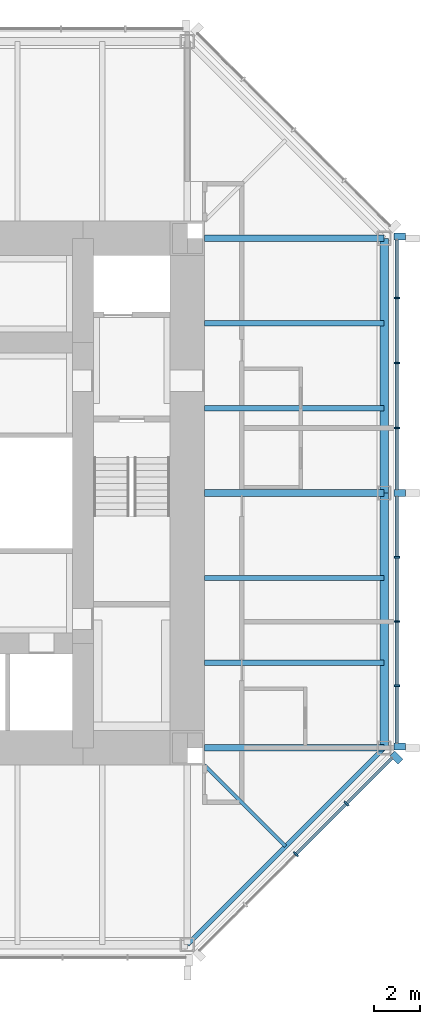
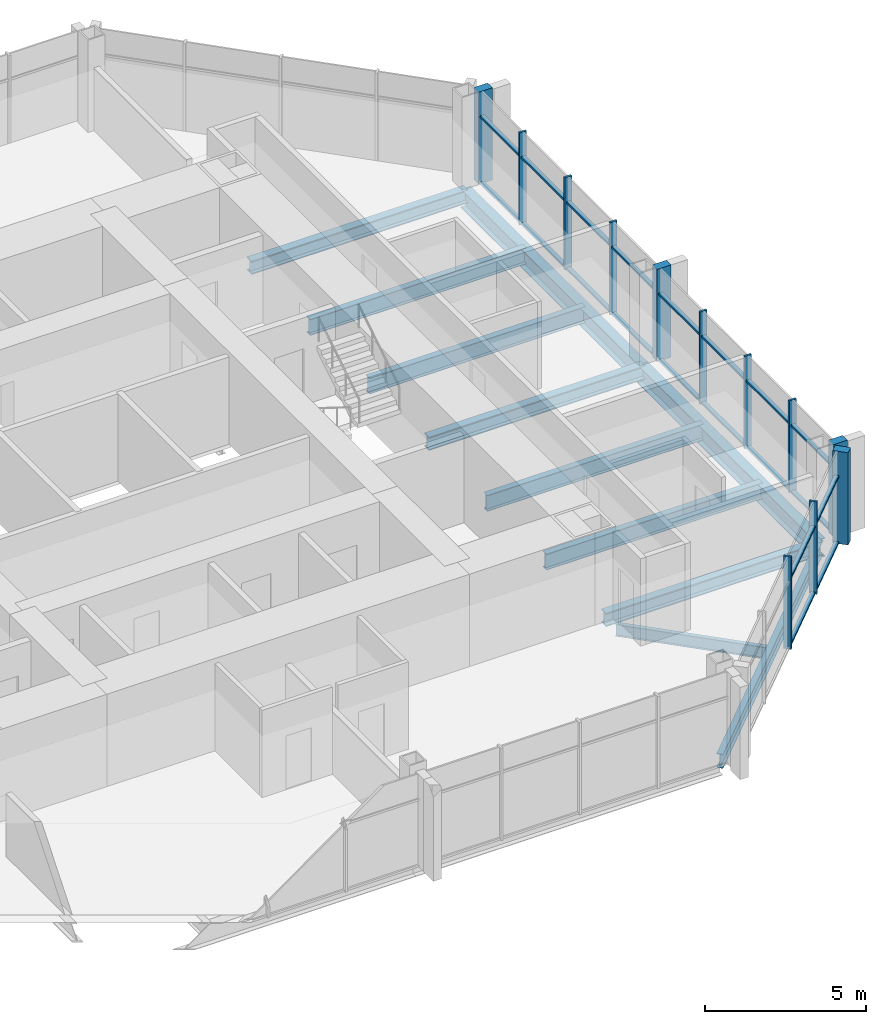
# One storey, part 4 of 11: 32 members, 11 beams, 2 elements without a shape of their own.
"""IFC4 building model written with IfcOpenShell, lengths in metres."""

from ifc_helpers import new_model, si_unit, direction, frame, origin, origin_2d, place, context, subcontext, project, spatial, rectangle, i_section, extrude, material, material_profile, profile_set, type_object, element, aggregate, save


model = new_model("IFC4")

# Units and contexts
model_context = context("Model", 3, precision=1e-05, world=origin(), true_north=direction((0.0, 1.0)))
body_context = subcontext(model_context, "Body", "Model", "MODEL_VIEW")
ifc_project = project(units=[si_unit("LENGTHUNIT", "METRE"), si_unit("AREAUNIT", "SQUARE_METRE"), si_unit("VOLUMEUNIT", "CUBIC_METRE"), si_unit("PLANEANGLEUNIT", "RADIAN"), si_unit("MASSUNIT", "GRAM", prefix="KILO")], contexts=[model_context])

# Site, building, storey
site_placement = place(None, origin())
site = spatial("IfcSite", under=ifc_project, at=site_placement, CompositionType="ELEMENT")
building_placement = place(site_placement, origin())
building = spatial("IfcBuilding", under=site, at=building_placement, Name="Trevanion Tower", CompositionType="ELEMENT")
storey_placement = place(building_placement, frame((0.0, 0.0, 253.699951171875)))
storey = spatial("IfcBuildingStorey", under=building, at=storey_placement, Name="L62", CompositionType="ELEMENT", Elevation=253.699951171875)

# Beams
ifc_material_1 = material(Name="Steel ASTM A992 Grade 50", Category="steel")
ifc_material_profile_1 = material_profile(ifc_material_1, i_section(OverallWidth=0.228271484375, OverallDepth=0.607177734375, WebThickness=0.01123046875, FlangeThickness=0.017333984375, at=origin_2d()), Name="W24X76")
ifc_profile_set_1 = profile_set([ifc_material_profile_1], Name="Steel ASTM A992 Grade 50")
beam_type_1 = type_object("IfcBeamType", Name="B11 W24X76", PredefinedType="BEAM", material=ifc_profile_set_1)
for number, where, z_axis, x_axis, name in (
    (1, (11.75, -7.333251953125, -0.493408203125), (1.0, 0.0, 0.0), (0.0, 1.0, 0.0), "B11 L62"),
    (2, (11.75, -3.666748046875, -0.493408203125), (1.0, 0.0, 0.0), (0.0, 1.0, 0.0), "B11 L62"),
    (3, (11.75, 3.666748046875, -0.493408203125), (1.0, 0.0, 0.0), (0.0, 1.0, 0.0), "B11 L62"),
    (4, (11.75, 7.333251953125, -0.493408203125), (1.0, 0.0, 0.0), (0.0, 1.0, 0.0), "B11 L62"),
):
    element("IfcBeam", number, at=place(storey_placement, frame(where, z_axis=z_axis, x_axis=x_axis)), inside=storey, type_object=beam_type_1, Name=name, PredefinedType="BEAM", context=body_context, shape_type="SweptSolid", body=[
        extrude(i_section(OverallWidth=0.228271484375, OverallDepth=0.607177734375, WebThickness=0.01123046875, FlangeThickness=0.017333984375, at=origin_2d()), origin(), (0.0, 0.0, 1.0), 7.75),
    ])
ifc_material_2 = material(Name="Steel ASTM A992 Grade 50", Category="steel")
ifc_material_profile_2 = material_profile(ifc_material_2, i_section(OverallWidth=0.15234375, OverallDepth=0.449462890625, WebThickness=0.007568359375, FlangeThickness=0.0107421875, at=origin_2d()), Name="W18X35")
ifc_profile_set_2 = profile_set([ifc_material_profile_2], Name="Steel ASTM A992 Grade 50")
beam_type_2 = type_object("IfcBeamType", Name="B12 W18X35", PredefinedType="BEAM", material=ifc_profile_set_2)
beam_1_placement = place(storey_placement, frame((11.75, -11.75, -0.414794921875), z_axis=(0.707106781187, -0.707106781187, 0.0), x_axis=(0.707106781187, 0.707106781187, 0.0)))
element("IfcBeam", 5, at=beam_1_placement, inside=storey, type_object=beam_type_2, Name="B12 L62", PredefinedType="BEAM", context=body_context, shape_type="SweptSolid", body=[
    extrude(i_section(OverallWidth=0.15234375, OverallDepth=0.449462890625, WebThickness=0.007568359375, FlangeThickness=0.0107421875, at=origin_2d()), origin(), (0.0, 0.0, 1.0), 4.94970703125),
])

# Curtain wall, members
ifc_material_3 = material(Name="Aluminium and glass", Category="aluminium")
curtain_wall_type = type_object("IfcCurtainWallType", Name="CW3 curtain wall", PredefinedType="USERDEFINED", material=ifc_material_3)
curtain_wall_1_placement = place(storey_placement, origin())
curtain_wall_1 = element("IfcCurtainWall", 6, at=curtain_wall_1_placement, inside=storey, type_object=curtain_wall_type, Name="CW3 L62 0", ObjectType="UNITISED CURTAIN WALL", PredefinedType="USERDEFINED")
ifc_material_4 = material(Name="Aluminium extrusion, anodised bronze", Category="aluminium")
ifc_material_profile_3 = material_profile(ifc_material_4, rectangle(XDim=0.074951171875, YDim=0.25, at=origin_2d()), Name="CW3 mullion")
ifc_profile_set_3 = profile_set([ifc_material_profile_3], Name="Aluminium extrusion, anodised bronze")
member_type_1 = type_object("IfcMemberType", Name="CW3 mullion", PredefinedType="MULLION", material=ifc_profile_set_3)
member_1_placement = place(storey_placement, frame((20.050048828125, -8.323486328125, -0.18994140625), z_axis=(0.0, 0.0, 1.0), x_axis=(0.0, 1.0, 0.0)))
member_1 = element("IfcMember", 7, at=member_1_placement, type_object=member_type_1, Name="CW3 mullion 2", PredefinedType="MULLION", context=body_context, shape_type="SweptSolid", body=[
    extrude(rectangle(XDim=0.074951171875, YDim=0.25, at=origin_2d()), origin(), (0.0, 0.0, 1.0), 3.5),
])
member_2_placement = place(storey_placement, frame((20.050048828125, -5.548828125, -0.18994140625), z_axis=(0.0, 0.0, 1.0), x_axis=(0.0, 1.0, 0.0)))
member_2 = element("IfcMember", 8, at=member_2_placement, type_object=member_type_1, Name="CW3 mullion 3", PredefinedType="MULLION", context=body_context, shape_type="SweptSolid", body=[
    extrude(rectangle(XDim=0.074951171875, YDim=0.25, at=origin_2d()), origin(), (0.0, 0.0, 1.0), 3.5),
])
member_3_placement = place(storey_placement, frame((20.050048828125, -2.7744140625, -0.18994140625), z_axis=(0.0, 0.0, 1.0), x_axis=(0.0, 1.0, 0.0)))
member_3 = element("IfcMember", 9, at=member_3_placement, type_object=member_type_1, Name="CW3 mullion 4", PredefinedType="MULLION", context=body_context, shape_type="SweptSolid", body=[
    extrude(rectangle(XDim=0.074951171875, YDim=0.25, at=origin_2d()), origin(), (0.0, 0.0, 1.0), 3.5),
])
member_4_placement = place(storey_placement, frame((20.050048828125, 2.806884765625, -0.18994140625), z_axis=(0.0, 0.0, 1.0), x_axis=(0.0, 1.0, 0.0)))
member_4 = element("IfcMember", 10, at=member_4_placement, type_object=member_type_1, Name="CW3 mullion 6", PredefinedType="MULLION", context=body_context, shape_type="SweptSolid", body=[
    extrude(rectangle(XDim=0.074951171875, YDim=0.25, at=origin_2d()), origin(), (0.0, 0.0, 1.0), 3.5),
])
member_5_placement = place(storey_placement, frame((20.050048828125, 5.614013671875, -0.18994140625), z_axis=(0.0, 0.0, 1.0), x_axis=(0.0, 1.0, 0.0)))
member_5 = element("IfcMember", 11, at=member_5_placement, type_object=member_type_1, Name="CW3 mullion 7", PredefinedType="MULLION", context=body_context, shape_type="SweptSolid", body=[
    extrude(rectangle(XDim=0.074951171875, YDim=0.25, at=origin_2d()), origin(), (0.0, 0.0, 1.0), 3.5),
])
member_6_placement = place(storey_placement, frame((20.050048828125, 8.4208984375, -0.18994140625), z_axis=(0.0, 0.0, 1.0), x_axis=(0.0, 1.0, 0.0)))
member_6 = element("IfcMember", 12, at=member_6_placement, type_object=member_type_1, Name="CW3 mullion 8", PredefinedType="MULLION", context=body_context, shape_type="SweptSolid", body=[
    extrude(rectangle(XDim=0.074951171875, YDim=0.25, at=origin_2d()), origin(), (0.0, 0.0, 1.0), 3.5),
])

curtain_wall_2_placement = place(storey_placement, origin())
curtain_wall_2 = element("IfcCurtainWall", 13, at=curtain_wall_2_placement, inside=storey, type_object=curtain_wall_type, Name="CW3 L62 7", ObjectType="UNITISED CURTAIN WALL", PredefinedType="USERDEFINED")
member_7_placement = place(storey_placement, frame((15.684814453125, -15.593017578125, -0.18994140625), z_axis=(0.0, 0.0, 1.0), x_axis=(0.707106781187, 0.707106781187, 0.0)))
member_7 = element("IfcMember", 14, at=member_7_placement, type_object=member_type_1, Name="CW3 mullion 3", PredefinedType="MULLION", context=body_context, shape_type="SweptSolid", body=[
    extrude(rectangle(XDim=0.074951171875, YDim=0.25, at=origin_2d()), origin(), (0.0, 0.0, 1.0), 3.5),
])
member_8_placement = place(storey_placement, frame((17.867431640625, -13.410400390625, -0.18994140625), z_axis=(0.0, 0.0, 1.0), x_axis=(0.707106781187, 0.707106781187, 0.0)))
member_8 = element("IfcMember", 15, at=member_8_placement, type_object=member_type_1, Name="CW3 mullion 4", PredefinedType="MULLION", context=body_context, shape_type="SweptSolid", body=[
    extrude(rectangle(XDim=0.074951171875, YDim=0.25, at=origin_2d()), origin(), (0.0, 0.0, 1.0), 3.5),
])

# Member
ifc_material_5 = material(Name="Aluminium extrusion, anodised bronze", Category="aluminium")
ifc_material_profile_4 = material_profile(ifc_material_5, rectangle(XDim=0.300048828125, YDim=0.5, at=origin_2d()), Name="CW3 pier mullion")
ifc_profile_set_4 = profile_set([ifc_material_profile_4], Name="Aluminium extrusion, anodised bronze")
member_type_2 = type_object("IfcMemberType", Name="CW3 pier mullion", PredefinedType="MULLION", material=ifc_profile_set_4)
member_9_placement = place(storey_placement, frame((20.175048828125, -10.94775390625, -0.18994140625), z_axis=(0.0, 0.0, 1.0), x_axis=(0.0, 1.0, 0.0)))
member_9 = element("IfcMember", 16, at=member_9_placement, type_object=member_type_2, Name="CW3 pier mullion 1", PredefinedType="MULLION", context=body_context, shape_type="SweptSolid", body=[
    extrude(rectangle(XDim=0.300048828125, YDim=0.5, at=origin_2d()), origin(), (0.0, 0.0, 1.0), 3.5),
])

member_10_placement = place(storey_placement, frame((20.175048828125, 0.0, -0.18994140625), z_axis=(0.0, 0.0, 1.0), x_axis=(0.0, 1.0, 0.0)))
member_10 = element("IfcMember", 17, at=member_10_placement, type_object=member_type_2, Name="CW3 pier mullion 5", PredefinedType="MULLION", context=body_context, shape_type="SweptSolid", body=[
    extrude(rectangle(XDim=0.300048828125, YDim=0.5, at=origin_2d()), origin(), (0.0, 0.0, 1.0), 3.5),
])

member_11_placement = place(storey_placement, frame((20.175048828125, 11.077880859375, -0.18994140625), z_axis=(0.0, 0.0, 1.0), x_axis=(0.0, 1.0, 0.0)))
member_11 = element("IfcMember", 18, at=member_11_placement, type_object=member_type_2, Name="CW3 pier mullion 9", PredefinedType="MULLION", context=body_context, shape_type="SweptSolid", body=[
    extrude(rectangle(XDim=0.300048828125, YDim=0.5, at=origin_2d()), origin(), (0.0, 0.0, 1.0), 3.5),
])

member_12_placement = place(storey_placement, frame((20.0322265625, -11.42236328125, -0.18994140625), z_axis=(0.0, 0.0, 1.0), x_axis=(0.707106781187, 0.707106781187, 0.0)))
member_12 = element("IfcMember", 19, at=member_12_placement, type_object=member_type_2, Name="CW3 pier mullion 5", PredefinedType="MULLION", context=body_context, shape_type="SweptSolid", body=[
    extrude(rectangle(XDim=0.300048828125, YDim=0.5, at=origin_2d()), origin(), (0.0, 0.0, 1.0), 3.5),
])

ifc_material_6 = material(Name="Aluminium extrusion, anodised bronze", Category="aluminium")
ifc_material_profile_5 = material_profile(ifc_material_6, rectangle(XDim=0.14990234375, YDim=0.074951171875, at=origin_2d()), Name="CW3 transom")
ifc_profile_set_5 = profile_set([ifc_material_profile_5], Name="Aluminium extrusion, anodised bronze")
member_type_3 = type_object("IfcMemberType", Name="CW3 transom", PredefinedType="USERDEFINED", material=ifc_profile_set_5)
member_13_placement = place(storey_placement, frame((20.050048828125, -10.7978515625, -0.15234375), z_axis=(0.0, 1.0, 0.0), x_axis=(-1.0, 0.0, 0.0)))
member_13 = element("IfcMember", 20, at=member_13_placement, type_object=member_type_3, Name="CW3 transom 1.1", ObjectType="TRANSOM", PredefinedType="USERDEFINED", context=body_context, shape_type="SweptSolid", body=[
    extrude(rectangle(XDim=0.14990234375, YDim=0.074951171875, at=origin_2d()), origin(), (0.0, 0.0, 1.0), 2.43701171875),
])

member_14_placement = place(storey_placement, frame((20.050048828125, -10.7978515625, 2.360107421875), z_axis=(0.0, 1.0, 0.0), x_axis=(-1.0, 0.0, 0.0)))
member_14 = element("IfcMember", 21, at=member_14_placement, type_object=member_type_3, Name="CW3 transom 1.2", ObjectType="TRANSOM", PredefinedType="USERDEFINED", context=body_context, shape_type="SweptSolid", body=[
    extrude(rectangle(XDim=0.14990234375, YDim=0.074951171875, at=origin_2d()), origin(), (0.0, 0.0, 1.0), 2.43701171875),
])

member_15_placement = place(storey_placement, frame((20.050048828125, -8.285888671875, -0.15234375), z_axis=(0.0, 1.0, 0.0), x_axis=(-1.0, 0.0, 0.0)))
member_15 = element("IfcMember", 22, at=member_15_placement, type_object=member_type_3, Name="CW3 transom 2.1", ObjectType="TRANSOM", PredefinedType="USERDEFINED", context=body_context, shape_type="SweptSolid", body=[
    extrude(rectangle(XDim=0.14990234375, YDim=0.074951171875, at=origin_2d()), origin(), (0.0, 0.0, 1.0), 2.699462890625),
])

member_16_placement = place(storey_placement, frame((20.050048828125, -8.285888671875, 2.360107421875), z_axis=(0.0, 1.0, 0.0), x_axis=(-1.0, 0.0, 0.0)))
member_16 = element("IfcMember", 23, at=member_16_placement, type_object=member_type_3, Name="CW3 transom 2.2", ObjectType="TRANSOM", PredefinedType="USERDEFINED", context=body_context, shape_type="SweptSolid", body=[
    extrude(rectangle(XDim=0.14990234375, YDim=0.074951171875, at=origin_2d()), origin(), (0.0, 0.0, 1.0), 2.699462890625),
])

member_17_placement = place(storey_placement, frame((20.050048828125, -5.511474609375, -0.15234375), z_axis=(0.0, 1.0, 0.0), x_axis=(-1.0, 0.0, 0.0)))
member_17 = element("IfcMember", 24, at=member_17_placement, type_object=member_type_3, Name="CW3 transom 3.1", ObjectType="TRANSOM", PredefinedType="USERDEFINED", context=body_context, shape_type="SweptSolid", body=[
    extrude(rectangle(XDim=0.14990234375, YDim=0.074951171875, at=origin_2d()), origin(), (0.0, 0.0, 1.0), 2.699462890625),
])

member_18_placement = place(storey_placement, frame((20.050048828125, -5.511474609375, 2.360107421875), z_axis=(0.0, 1.0, 0.0), x_axis=(-1.0, 0.0, 0.0)))
member_18 = element("IfcMember", 25, at=member_18_placement, type_object=member_type_3, Name="CW3 transom 3.2", ObjectType="TRANSOM", PredefinedType="USERDEFINED", context=body_context, shape_type="SweptSolid", body=[
    extrude(rectangle(XDim=0.14990234375, YDim=0.074951171875, at=origin_2d()), origin(), (0.0, 0.0, 1.0), 2.699462890625),
])

member_19_placement = place(storey_placement, frame((20.050048828125, -2.737060546875, -0.15234375), z_axis=(0.0, 1.0, 0.0), x_axis=(-1.0, 0.0, 0.0)))
member_19 = element("IfcMember", 26, at=member_19_placement, type_object=member_type_3, Name="CW3 transom 4.1", ObjectType="TRANSOM", PredefinedType="USERDEFINED", context=body_context, shape_type="SweptSolid", body=[
    extrude(rectangle(XDim=0.14990234375, YDim=0.074951171875, at=origin_2d()), origin(), (0.0, 0.0, 1.0), 2.587158203125),
])

member_20_placement = place(storey_placement, frame((20.050048828125, -2.737060546875, 2.360107421875), z_axis=(0.0, 1.0, 0.0), x_axis=(-1.0, 0.0, 0.0)))
member_20 = element("IfcMember", 27, at=member_20_placement, type_object=member_type_3, Name="CW3 transom 4.2", ObjectType="TRANSOM", PredefinedType="USERDEFINED", context=body_context, shape_type="SweptSolid", body=[
    extrude(rectangle(XDim=0.14990234375, YDim=0.074951171875, at=origin_2d()), origin(), (0.0, 0.0, 1.0), 2.587158203125),
])

member_21_placement = place(storey_placement, frame((20.050048828125, 0.14990234375, -0.15234375), z_axis=(0.0, 1.0, 0.0), x_axis=(-1.0, 0.0, 0.0)))
member_21 = element("IfcMember", 28, at=member_21_placement, type_object=member_type_3, Name="CW3 transom 5.1", ObjectType="TRANSOM", PredefinedType="USERDEFINED", context=body_context, shape_type="SweptSolid", body=[
    extrude(rectangle(XDim=0.14990234375, YDim=0.074951171875, at=origin_2d()), origin(), (0.0, 0.0, 1.0), 2.619384765625),
])

member_22_placement = place(storey_placement, frame((20.050048828125, 0.14990234375, 2.360107421875), z_axis=(0.0, 1.0, 0.0), x_axis=(-1.0, 0.0, 0.0)))
member_22 = element("IfcMember", 29, at=member_22_placement, type_object=member_type_3, Name="CW3 transom 5.2", ObjectType="TRANSOM", PredefinedType="USERDEFINED", context=body_context, shape_type="SweptSolid", body=[
    extrude(rectangle(XDim=0.14990234375, YDim=0.074951171875, at=origin_2d()), origin(), (0.0, 0.0, 1.0), 2.619384765625),
])

member_23_placement = place(storey_placement, frame((20.050048828125, 2.844482421875, -0.15234375), z_axis=(0.0, 1.0, 0.0), x_axis=(-1.0, 0.0, 0.0)))
member_23 = element("IfcMember", 30, at=member_23_placement, type_object=member_type_3, Name="CW3 transom 6.1", ObjectType="TRANSOM", PredefinedType="USERDEFINED", context=body_context, shape_type="SweptSolid", body=[
    extrude(rectangle(XDim=0.14990234375, YDim=0.074951171875, at=origin_2d()), origin(), (0.0, 0.0, 1.0), 2.73193359375),
])

member_24_placement = place(storey_placement, frame((20.050048828125, 2.844482421875, 2.360107421875), z_axis=(0.0, 1.0, 0.0), x_axis=(-1.0, 0.0, 0.0)))
member_24 = element("IfcMember", 31, at=member_24_placement, type_object=member_type_3, Name="CW3 transom 6.2", ObjectType="TRANSOM", PredefinedType="USERDEFINED", context=body_context, shape_type="SweptSolid", body=[
    extrude(rectangle(XDim=0.14990234375, YDim=0.074951171875, at=origin_2d()), origin(), (0.0, 0.0, 1.0), 2.73193359375),
])

member_25_placement = place(storey_placement, frame((20.050048828125, 5.6513671875, -0.15234375), z_axis=(0.0, 1.0, 0.0), x_axis=(-1.0, 0.0, 0.0)))
member_25 = element("IfcMember", 32, at=member_25_placement, type_object=member_type_3, Name="CW3 transom 7.1", ObjectType="TRANSOM", PredefinedType="USERDEFINED", context=body_context, shape_type="SweptSolid", body=[
    extrude(rectangle(XDim=0.14990234375, YDim=0.074951171875, at=origin_2d()), origin(), (0.0, 0.0, 1.0), 2.73193359375),
])

member_26_placement = place(storey_placement, frame((20.050048828125, 5.6513671875, 2.360107421875), z_axis=(0.0, 1.0, 0.0), x_axis=(-1.0, 0.0, 0.0)))
member_26 = element("IfcMember", 33, at=member_26_placement, type_object=member_type_3, Name="CW3 transom 7.2", ObjectType="TRANSOM", PredefinedType="USERDEFINED", context=body_context, shape_type="SweptSolid", body=[
    extrude(rectangle(XDim=0.14990234375, YDim=0.074951171875, at=origin_2d()), origin(), (0.0, 0.0, 1.0), 2.73193359375),
])

member_27_placement = place(storey_placement, frame((20.050048828125, 8.45849609375, -0.15234375), z_axis=(0.0, 1.0, 0.0), x_axis=(-1.0, 0.0, 0.0)))
member_27 = element("IfcMember", 34, at=member_27_placement, type_object=member_type_3, Name="CW3 transom 8.1", ObjectType="TRANSOM", PredefinedType="USERDEFINED", context=body_context, shape_type="SweptSolid", body=[
    extrude(rectangle(XDim=0.14990234375, YDim=0.074951171875, at=origin_2d()), origin(), (0.0, 0.0, 1.0), 2.46923828125),
])

member_28_placement = place(storey_placement, frame((20.050048828125, 8.45849609375, 2.360107421875), z_axis=(0.0, 1.0, 0.0), x_axis=(-1.0, 0.0, 0.0)))
member_28 = element("IfcMember", 35, at=member_28_placement, type_object=member_type_3, Name="CW3 transom 8.2", ObjectType="TRANSOM", PredefinedType="USERDEFINED", context=body_context, shape_type="SweptSolid", body=[
    extrude(rectangle(XDim=0.14990234375, YDim=0.074951171875, at=origin_2d()), origin(), (0.0, 0.0, 1.0), 2.46923828125),
])

aggregate(curtain_wall_1, [member_9, member_1, member_2, member_3, member_10, member_4, member_5, member_6, member_11, member_13, member_14, member_15, member_16, member_17, member_18, member_19, member_20, member_21, member_22, member_23, member_24, member_25, member_26, member_27, member_28])

member_29_placement = place(storey_placement, frame((15.71142578125, -15.56640625, -0.15234375), z_axis=(0.707106781187, 0.707106781187, 0.0), x_axis=(-0.707106781187, 0.707106781187, 0.0)))
member_29 = element("IfcMember", 36, at=member_29_placement, type_object=member_type_3, Name="CW3 transom 3.1", ObjectType="TRANSOM", PredefinedType="USERDEFINED", context=body_context, shape_type="SweptSolid", body=[
    extrude(rectangle(XDim=0.14990234375, YDim=0.074951171875, at=origin_2d()), origin(), (0.0, 0.0, 1.0), 3.011474609375),
])

member_30_placement = place(storey_placement, frame((15.71142578125, -15.56640625, 2.360107421875), z_axis=(0.707106781187, 0.707106781187, 0.0), x_axis=(-0.707106781187, 0.707106781187, 0.0)))
member_30 = element("IfcMember", 37, at=member_30_placement, type_object=member_type_3, Name="CW3 transom 3.2", ObjectType="TRANSOM", PredefinedType="USERDEFINED", context=body_context, shape_type="SweptSolid", body=[
    extrude(rectangle(XDim=0.14990234375, YDim=0.074951171875, at=origin_2d()), origin(), (0.0, 0.0, 1.0), 3.011474609375),
])

member_31_placement = place(storey_placement, frame((17.89404296875, -13.3837890625, -0.15234375), z_axis=(0.707106781187, 0.707106781187, 0.0), x_axis=(-0.707106781187, 0.707106781187, 0.0)))
member_31 = element("IfcMember", 38, at=member_31_placement, type_object=member_type_3, Name="CW3 transom 4.1", ObjectType="TRANSOM", PredefinedType="USERDEFINED", context=body_context, shape_type="SweptSolid", body=[
    extrude(rectangle(XDim=0.14990234375, YDim=0.074951171875, at=origin_2d()), origin(), (0.0, 0.0, 1.0), 2.7490234375),
])

member_32_placement = place(storey_placement, frame((17.89404296875, -13.3837890625, 2.360107421875), z_axis=(0.707106781187, 0.707106781187, 0.0), x_axis=(-0.707106781187, 0.707106781187, 0.0)))
member_32 = element("IfcMember", 39, at=member_32_placement, type_object=member_type_3, Name="CW3 transom 4.2", ObjectType="TRANSOM", PredefinedType="USERDEFINED", context=body_context, shape_type="SweptSolid", body=[
    extrude(rectangle(XDim=0.14990234375, YDim=0.074951171875, at=origin_2d()), origin(), (0.0, 0.0, 1.0), 2.7490234375),
])

aggregate(curtain_wall_2, [member_7, member_8, member_12, member_29, member_30, member_31, member_32])

# Beams
ifc_material_7 = material(Name="Steel ASTM A992 Grade 50", Category="steel")
ifc_material_profile_6 = material_profile(ifc_material_7, i_section(OverallWidth=0.28955078125, OverallDepth=0.508056640625, WebThickness=0.022705078125, FlangeThickness=0.040283203125, at=origin_2d()), Name="W18X175")
ifc_profile_set_6 = profile_set([ifc_material_profile_6], Name="Steel ASTM A992 Grade 50")
beam_type_3 = type_object("IfcBeamType", Name="G6 W18X175", PredefinedType="BEAM", material=ifc_profile_set_6)
for number, where, z_axis, x_axis, name in (
    (40, (11.75, -11.0, -0.44384765625), (1.0, 0.0, 0.0), (0.0, 1.0, 0.0), "G6 L62"),
    (41, (11.75, 0.0, -0.44384765625), (1.0, 0.0, 0.0), (0.0, 1.0, 0.0), "G6 L62"),
    (42, (11.75, 11.0, -0.44384765625), (1.0, 0.0, 0.0), (0.0, 1.0, 0.0), "G6 L62"),
):
    element("IfcBeam", number, at=place(storey_placement, frame(where, z_axis=z_axis, x_axis=x_axis)), inside=storey, type_object=beam_type_3, Name=name, PredefinedType="BEAM", context=body_context, shape_type="SweptSolid", body=[
        extrude(i_section(OverallWidth=0.28955078125, OverallDepth=0.508056640625, WebThickness=0.022705078125, FlangeThickness=0.040283203125, at=origin_2d()), origin(), (0.0, 0.0, 1.0), 7.75),
    ])
ifc_material_8 = material(Name="Steel ASTM A992 Grade 50", Category="steel")
ifc_material_profile_7 = material_profile(ifc_material_8, i_section(OverallWidth=0.355712890625, OverallDepth=0.696044921875, WebThickness=0.015380859375, FlangeThickness=0.024658203125, at=origin_2d()), Name="W27X146")
ifc_profile_set_7 = profile_set([ifc_material_profile_7], Name="Steel ASTM A992 Grade 50")
beam_type_4 = type_object("IfcBeamType", Name="SB8 W27X146", PredefinedType="SPANDREL", material=ifc_profile_set_7)
for number, where, z_axis, x_axis, name in (
    (43, (19.5, -11.0, -0.537841796875), (0.0, 1.0, 0.0), (-1.0, 0.0, 0.0), "SB8 L62"),
    (44, (19.5, 0.0, -0.537841796875), (0.0, 1.0, 0.0), (-1.0, 0.0, 0.0), "SB8 L62"),
):
    element("IfcBeam", number, at=place(storey_placement, frame(where, z_axis=z_axis, x_axis=x_axis)), inside=storey, type_object=beam_type_4, Name=name, PredefinedType="SPANDREL", context=body_context, shape_type="SweptSolid", body=[
        extrude(i_section(OverallWidth=0.355712890625, OverallDepth=0.696044921875, WebThickness=0.015380859375, FlangeThickness=0.024658203125, at=origin_2d()), origin(), (0.0, 0.0, 1.0), 11.0),
    ])
ifc_material_9 = material(Name="Steel ASTM A992 Grade 50", Category="steel")
ifc_material_profile_8 = material_profile(ifc_material_9, i_section(OverallWidth=0.209228515625, OverallDepth=0.533447265625, WebThickness=0.01025390625, FlangeThickness=0.015625, at=origin_2d()), Name="W21X62")
ifc_profile_set_8 = profile_set([ifc_material_profile_8], Name="Steel ASTM A992 Grade 50")
beam_type_5 = type_object("IfcBeamType", Name="SB9 W21X62", PredefinedType="SPANDREL", material=ifc_profile_set_8)
beam_2_placement = place(storey_placement, frame((11.0, -19.5, -0.45654296875), z_axis=(0.707106781187, 0.707106781187, 0.0), x_axis=(-0.707106781187, 0.707106781187, 0.0)))
element("IfcBeam", 45, at=beam_2_placement, inside=storey, type_object=beam_type_5, Name="SB9 L62", PredefinedType="SPANDREL", context=body_context, shape_type="SweptSolid", body=[
    extrude(i_section(OverallWidth=0.209228515625, OverallDepth=0.533447265625, WebThickness=0.01025390625, FlangeThickness=0.015625, at=origin_2d()), origin(), (0.0, 0.0, 1.0), 12.020751953125),
])

save(model, "model.ifc")
